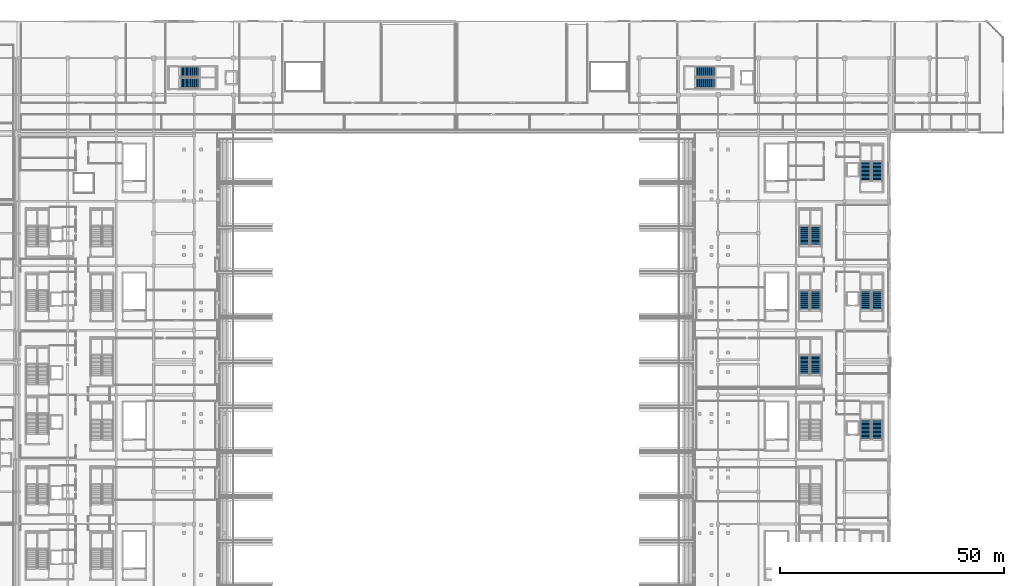
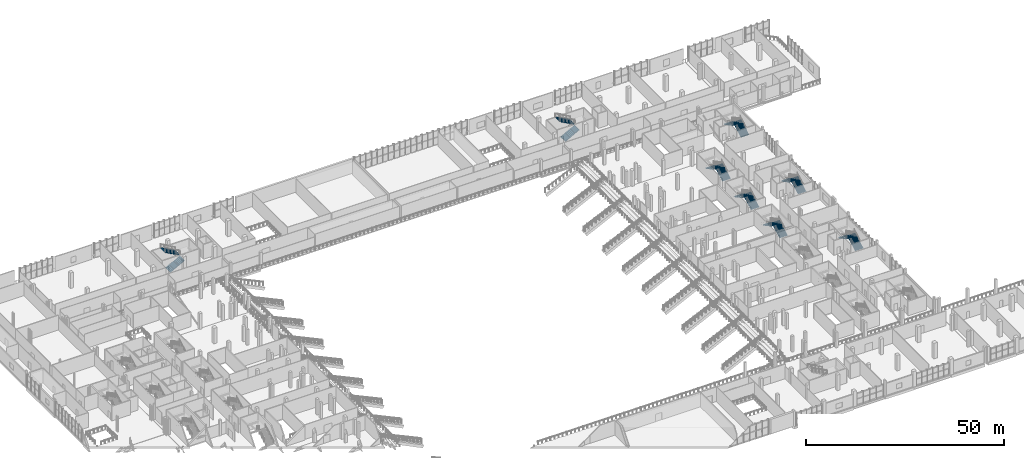
# One storey, part 91 of 129: 16 stair flights, 8 elements without a shape of their own.
"""IFC4 building model written with IfcOpenShell, lengths in metres."""

from ifc_helpers import new_model, si_unit, direction, frame, origin, place, context, subcontext, project, spatial, polyline, outline, extrude, material, type_object, element, aggregate, save


model = new_model("IFC4")

# Units and contexts
model_context = context("Model", 3, precision=1e-05, world=origin(), true_north=direction((0.0, 1.0)))
body_context = subcontext(model_context, "Body", "Model", "MODEL_VIEW")
ifc_project = project(units=[si_unit("LENGTHUNIT", "METRE"), si_unit("AREAUNIT", "SQUARE_METRE"), si_unit("VOLUMEUNIT", "CUBIC_METRE"), si_unit("PLANEANGLEUNIT", "RADIAN"), si_unit("MASSUNIT", "GRAM", prefix="KILO")], contexts=[model_context])

# Site, building, storey
site_placement = place(None, origin())
site = spatial("IfcSite", under=ifc_project, at=site_placement, CompositionType="ELEMENT")
building_placement = place(site_placement, origin())
building = spatial("IfcBuilding", under=site, at=building_placement, Name="Koshinbarg Plaza Stadium", CompositionType="ELEMENT")
storey_placement = place(building_placement, frame((0.0, 0.0, 5.39990234375)))
storey = spatial("IfcBuildingStorey", under=building, at=storey_placement, Name="L01", CompositionType="ELEMENT", Elevation=5.39990234375)

# Stair, stair flights
ifc_material = material(Name="Concrete C35/45", Category="concrete")
stair_type_1 = type_object("IfcStairType", Name="ST-CORE-48", PredefinedType="HALF_TURN_STAIR", material=ifc_material)
stair_1_placement = place(storey_placement, origin())
stair_1 = element("IfcStair", 1, at=stair_1_placement, inside=storey, type_object=stair_type_1, Name="L01 Protected Exit Stair C08", PredefinedType="HALF_TURN_STAIR")
stair_flight_type = type_object("IfcStairFlightType", Name="SFL-CORE-48", PredefinedType="STRAIGHT", material=ifc_material)
stair_flight_1_placement = place(storey_placement, frame((215.889892578125, 58.760009765625, 0.0), z_axis=(0.0, 0.0, 1.0), x_axis=(0.0, 1.0, 0.0)))
stair_flight_1 = element("IfcStairFlight", 2, at=stair_flight_1_placement, type_object=stair_flight_type, Name="L01 Protected Exit Stair C08 flight 085", NumberOfRisers=15, NumberOfTreads=14, PredefinedType="STRAIGHT", RiserHeight=0.16, TreadLength=0.3, context=body_context, shape_type="SweptSolid", body=[
    extrude(outline(polyline([(0.0, 0.0), (0.0, 0.159912109375), (0.300048828125, 0.159912109375), (0.300048828125, 0.320068359375), (0.60009765625, 0.320068359375), (0.60009765625, 0.47998046875), (0.89990234375, 0.47998046875), (0.89990234375, 0.639892578125), (1.199951171875, 0.639892578125), (1.199951171875, 0.800048828125), (1.5, 0.800048828125), (1.5, 0.9599609375), (1.800048828125, 0.9599609375), (1.800048828125, 1.1201171875), (2.10009765625, 1.1201171875), (2.10009765625, 1.280029296875), (2.39990234375, 1.280029296875), (2.39990234375, 1.43994140625), (2.699951171875, 1.43994140625), (2.699951171875, 1.60009765625), (3.0, 1.60009765625), (3.0, 1.760009765625), (3.300048828125, 1.760009765625), (3.300048828125, 1.919921875), (3.60009765625, 1.919921875), (3.60009765625, 2.080078125), (3.89990234375, 2.080078125), (3.89990234375, 2.239990234375), (4.199951171875, 2.239990234375), (4.199951171875, 2.39990234375), (4.199951171875, 2.070068359375), (0.318603515625, 0.0), (0.0, 0.0)])), frame((0.0, 1.18017578125, 0.0), z_axis=(0.0, -1.0, 0.0), x_axis=(1.0, 0.0, 0.0)), (0.0, 0.0, 1.0), 2.360107421875),
])
stair_flight_2_placement = place(storey_placement, frame((213.3798828125, 62.9599609375, 2.400146484375), z_axis=(0.0, 0.0, 1.0), x_axis=(0.0, -1.0, 0.0)))
stair_flight_2 = element("IfcStairFlight", 3, at=stair_flight_2_placement, type_object=stair_flight_type, Name="L01 Protected Exit Stair C08 flight 086", NumberOfRisers=15, NumberOfTreads=14, PredefinedType="STRAIGHT", RiserHeight=0.16, TreadLength=0.3, context=body_context, shape_type="SweptSolid", body=[
    extrude(outline(polyline([(0.0, 0.0), (0.0, 0.159912109375), (0.300048828125, 0.159912109375), (0.300048828125, 0.320068359375), (0.60009765625, 0.320068359375), (0.60009765625, 0.47998046875), (0.89990234375, 0.47998046875), (0.89990234375, 0.639892578125), (1.199951171875, 0.639892578125), (1.199951171875, 0.800048828125), (1.5, 0.800048828125), (1.5, 0.9599609375), (1.800048828125, 0.9599609375), (1.800048828125, 1.1201171875), (2.10009765625, 1.1201171875), (2.10009765625, 1.280029296875), (2.39990234375, 1.280029296875), (2.39990234375, 1.43994140625), (2.699951171875, 1.43994140625), (2.699951171875, 1.60009765625), (3.0, 1.60009765625), (3.0, 1.760009765625), (3.300048828125, 1.760009765625), (3.300048828125, 1.919921875), (3.60009765625, 1.919921875), (3.60009765625, 2.080078125), (3.89990234375, 2.080078125), (3.89990234375, 2.239990234375), (4.199951171875, 2.239990234375), (4.199951171875, 2.39990234375), (4.199951171875, 2.070068359375), (0.318603515625, 0.0), (0.0, 0.0)])), frame((0.0, 1.18017578125, 0.0), z_axis=(0.0, -1.0, 0.0), x_axis=(1.0, 0.0, 0.0)), (0.0, 0.0, 1.0), 2.360107421875),
])
aggregate(stair_1, [stair_flight_1, stair_flight_2])

stair_2_placement = place(storey_placement, origin())
stair_2 = element("IfcStair", 4, at=stair_2_placement, inside=storey, type_object=stair_type_1, Name="L01 Protected Exit Stair C09", PredefinedType="HALF_TURN_STAIR")
stair_flight_3_placement = place(storey_placement, frame((215.889892578125, 87.56005859375, 0.0), z_axis=(0.0, 0.0, 1.0), x_axis=(0.0, 1.0, 0.0)))
stair_flight_3 = element("IfcStairFlight", 5, at=stair_flight_3_placement, type_object=stair_flight_type, Name="L01 Protected Exit Stair C09 flight 095", NumberOfRisers=15, NumberOfTreads=14, PredefinedType="STRAIGHT", RiserHeight=0.16, TreadLength=0.3, context=body_context, shape_type="SweptSolid", body=[
    extrude(outline(polyline([(0.0, 0.0), (0.0, 0.159912109375), (0.300048828125, 0.159912109375), (0.300048828125, 0.320068359375), (0.60009765625, 0.320068359375), (0.60009765625, 0.47998046875), (0.89990234375, 0.47998046875), (0.89990234375, 0.639892578125), (1.199951171875, 0.639892578125), (1.199951171875, 0.800048828125), (1.5, 0.800048828125), (1.5, 0.9599609375), (1.800048828125, 0.9599609375), (1.800048828125, 1.1201171875), (2.10009765625, 1.1201171875), (2.10009765625, 1.280029296875), (2.39990234375, 1.280029296875), (2.39990234375, 1.43994140625), (2.699951171875, 1.43994140625), (2.699951171875, 1.60009765625), (3.0, 1.60009765625), (3.0, 1.760009765625), (3.300048828125, 1.760009765625), (3.300048828125, 1.919921875), (3.60009765625, 1.919921875), (3.60009765625, 2.080078125), (3.89990234375, 2.080078125), (3.89990234375, 2.239990234375), (4.199951171875, 2.239990234375), (4.199951171875, 2.39990234375), (4.199951171875, 2.070068359375), (0.318603515625, 0.0), (0.0, 0.0)])), frame((0.0, 1.18017578125, 0.0), z_axis=(0.0, -1.0, 0.0), x_axis=(1.0, 0.0, 0.0)), (0.0, 0.0, 1.0), 2.360107421875),
])
stair_flight_4_placement = place(storey_placement, frame((213.3798828125, 91.760009765625, 2.400146484375), z_axis=(0.0, 0.0, 1.0), x_axis=(0.0, -1.0, 0.0)))
stair_flight_4 = element("IfcStairFlight", 6, at=stair_flight_4_placement, type_object=stair_flight_type, Name="L01 Protected Exit Stair C09 flight 096", NumberOfRisers=15, NumberOfTreads=14, PredefinedType="STRAIGHT", RiserHeight=0.16, TreadLength=0.3, context=body_context, shape_type="SweptSolid", body=[
    extrude(outline(polyline([(0.0, 0.0), (0.0, 0.159912109375), (0.300048828125, 0.159912109375), (0.300048828125, 0.320068359375), (0.60009765625, 0.320068359375), (0.60009765625, 0.47998046875), (0.89990234375, 0.47998046875), (0.89990234375, 0.639892578125), (1.199951171875, 0.639892578125), (1.199951171875, 0.800048828125), (1.5, 0.800048828125), (1.5, 0.9599609375), (1.800048828125, 0.9599609375), (1.800048828125, 1.1201171875), (2.10009765625, 1.1201171875), (2.10009765625, 1.280029296875), (2.39990234375, 1.280029296875), (2.39990234375, 1.43994140625), (2.699951171875, 1.43994140625), (2.699951171875, 1.60009765625), (3.0, 1.60009765625), (3.0, 1.760009765625), (3.300048828125, 1.760009765625), (3.300048828125, 1.919921875), (3.60009765625, 1.919921875), (3.60009765625, 2.080078125), (3.89990234375, 2.080078125), (3.89990234375, 2.239990234375), (4.199951171875, 2.239990234375), (4.199951171875, 2.39990234375), (4.199951171875, 2.070068359375), (0.318603515625, 0.0), (0.0, 0.0)])), frame((0.0, 1.18017578125, 0.0), z_axis=(0.0, -1.0, 0.0), x_axis=(1.0, 0.0, 0.0)), (0.0, 0.0, 1.0), 2.360107421875),
])
aggregate(stair_2, [stair_flight_3, stair_flight_4])

stair_3_placement = place(storey_placement, origin())
stair_3 = element("IfcStair", 7, at=stair_3_placement, inside=storey, type_object=stair_type_1, Name="L01 Protected Exit Stair C10", PredefinedType="HALF_TURN_STAIR")
stair_flight_5_placement = place(storey_placement, frame((215.889892578125, 116.360107421875, 0.0), z_axis=(0.0, 0.0, 1.0), x_axis=(0.0, 1.0, 0.0)))
stair_flight_5 = element("IfcStairFlight", 8, at=stair_flight_5_placement, type_object=stair_flight_type, Name="L01 Protected Exit Stair C10 flight 105", NumberOfRisers=15, NumberOfTreads=14, PredefinedType="STRAIGHT", RiserHeight=0.16, TreadLength=0.3, context=body_context, shape_type="SweptSolid", body=[
    extrude(outline(polyline([(0.0, 0.0), (0.0, 0.159912109375), (0.300048828125, 0.159912109375), (0.300048828125, 0.320068359375), (0.60009765625, 0.320068359375), (0.60009765625, 0.47998046875), (0.89990234375, 0.47998046875), (0.89990234375, 0.639892578125), (1.199951171875, 0.639892578125), (1.199951171875, 0.800048828125), (1.5, 0.800048828125), (1.5, 0.9599609375), (1.800048828125, 0.9599609375), (1.800048828125, 1.1201171875), (2.10009765625, 1.1201171875), (2.10009765625, 1.280029296875), (2.39990234375, 1.280029296875), (2.39990234375, 1.43994140625), (2.699951171875, 1.43994140625), (2.699951171875, 1.60009765625), (3.0, 1.60009765625), (3.0, 1.760009765625), (3.300048828125, 1.760009765625), (3.300048828125, 1.919921875), (3.60009765625, 1.919921875), (3.60009765625, 2.080078125), (3.89990234375, 2.080078125), (3.89990234375, 2.239990234375), (4.199951171875, 2.239990234375), (4.199951171875, 2.39990234375), (4.199951171875, 2.070068359375), (0.318603515625, 0.0), (0.0, 0.0)])), frame((0.0, 1.18017578125, 0.0), z_axis=(0.0, -1.0, 0.0), x_axis=(1.0, 0.0, 0.0)), (0.0, 0.0, 1.0), 2.360107421875),
])
stair_flight_6_placement = place(storey_placement, frame((213.3798828125, 120.56005859375, 2.400146484375), z_axis=(0.0, 0.0, 1.0), x_axis=(0.0, -1.0, 0.0)))
stair_flight_6 = element("IfcStairFlight", 9, at=stair_flight_6_placement, type_object=stair_flight_type, Name="L01 Protected Exit Stair C10 flight 106", NumberOfRisers=15, NumberOfTreads=14, PredefinedType="STRAIGHT", RiserHeight=0.16, TreadLength=0.3, context=body_context, shape_type="SweptSolid", body=[
    extrude(outline(polyline([(0.0, 0.0), (0.0, 0.159912109375), (0.300048828125, 0.159912109375), (0.300048828125, 0.320068359375), (0.60009765625, 0.320068359375), (0.60009765625, 0.47998046875), (0.89990234375, 0.47998046875), (0.89990234375, 0.639892578125), (1.199951171875, 0.639892578125), (1.199951171875, 0.800048828125), (1.5, 0.800048828125), (1.5, 0.9599609375), (1.800048828125, 0.9599609375), (1.800048828125, 1.1201171875), (2.10009765625, 1.1201171875), (2.10009765625, 1.280029296875), (2.39990234375, 1.280029296875), (2.39990234375, 1.43994140625), (2.699951171875, 1.43994140625), (2.699951171875, 1.60009765625), (3.0, 1.60009765625), (3.0, 1.760009765625), (3.300048828125, 1.760009765625), (3.300048828125, 1.919921875), (3.60009765625, 1.919921875), (3.60009765625, 2.080078125), (3.89990234375, 2.080078125), (3.89990234375, 2.239990234375), (4.199951171875, 2.239990234375), (4.199951171875, 2.39990234375), (4.199951171875, 2.070068359375), (0.318603515625, 0.0), (0.0, 0.0)])), frame((0.0, 1.18017578125, 0.0), z_axis=(0.0, -1.0, 0.0), x_axis=(1.0, 0.0, 0.0)), (0.0, 0.0, 1.0), 2.360107421875),
])
aggregate(stair_3, [stair_flight_5, stair_flight_6])

stair_4_placement = place(storey_placement, origin())
stair_4 = element("IfcStair", 10, at=stair_4_placement, inside=storey, type_object=stair_type_1, Name="L01 Protected Exit Stair C11", PredefinedType="HALF_TURN_STAIR")
stair_flight_7_placement = place(storey_placement, frame((60.360107421875, 138.179931640625, 0.0), z_axis=(0.0, 0.0, 1.0), x_axis=(1.0, 0.0, 0.0)))
stair_flight_7 = element("IfcStairFlight", 11, at=stair_flight_7_placement, type_object=stair_flight_type, Name="L01 Protected Exit Stair C11 flight 115", NumberOfRisers=15, NumberOfTreads=14, PredefinedType="STRAIGHT", RiserHeight=0.16, TreadLength=0.3, context=body_context, shape_type="SweptSolid", body=[
    extrude(outline(polyline([(0.0, 0.0), (0.0, 0.159912109375), (0.300048828125, 0.159912109375), (0.300048828125, 0.320068359375), (0.60009765625, 0.320068359375), (0.60009765625, 0.47998046875), (0.89990234375, 0.47998046875), (0.89990234375, 0.639892578125), (1.199951171875, 0.639892578125), (1.199951171875, 0.800048828125), (1.5, 0.800048828125), (1.5, 0.9599609375), (1.800048828125, 0.9599609375), (1.800048828125, 1.1201171875), (2.10009765625, 1.1201171875), (2.10009765625, 1.280029296875), (2.39990234375, 1.280029296875), (2.39990234375, 1.43994140625), (2.699951171875, 1.43994140625), (2.699951171875, 1.60009765625), (3.0, 1.60009765625), (3.0, 1.760009765625), (3.300048828125, 1.760009765625), (3.300048828125, 1.919921875), (3.60009765625, 1.919921875), (3.60009765625, 2.080078125), (3.89990234375, 2.080078125), (3.89990234375, 2.239990234375), (4.199951171875, 2.239990234375), (4.199951171875, 2.39990234375), (4.199951171875, 2.070068359375), (0.318603515625, 0.0), (0.0, 0.0)])), frame((0.0, 1.18017578125, 0.0), z_axis=(0.0, -1.0, 0.0), x_axis=(1.0, 0.0, 0.0)), (0.0, 0.0, 1.0), 2.360107421875),
])
stair_flight_8_placement = place(storey_placement, frame((64.56005859375, 140.68994140625, 2.400146484375), z_axis=(0.0, 0.0, 1.0), x_axis=(-1.0, 0.0, 0.0)))
stair_flight_8 = element("IfcStairFlight", 12, at=stair_flight_8_placement, type_object=stair_flight_type, Name="L01 Protected Exit Stair C11 flight 116", NumberOfRisers=15, NumberOfTreads=14, PredefinedType="STRAIGHT", RiserHeight=0.16, TreadLength=0.3, context=body_context, shape_type="SweptSolid", body=[
    extrude(outline(polyline([(0.0, 0.0), (0.0, 0.159912109375), (0.300048828125, 0.159912109375), (0.300048828125, 0.320068359375), (0.60009765625, 0.320068359375), (0.60009765625, 0.47998046875), (0.89990234375, 0.47998046875), (0.89990234375, 0.639892578125), (1.199951171875, 0.639892578125), (1.199951171875, 0.800048828125), (1.5, 0.800048828125), (1.5, 0.9599609375), (1.800048828125, 0.9599609375), (1.800048828125, 1.1201171875), (2.10009765625, 1.1201171875), (2.10009765625, 1.280029296875), (2.39990234375, 1.280029296875), (2.39990234375, 1.43994140625), (2.699951171875, 1.43994140625), (2.699951171875, 1.60009765625), (3.0, 1.60009765625), (3.0, 1.760009765625), (3.300048828125, 1.760009765625), (3.300048828125, 1.919921875), (3.60009765625, 1.919921875), (3.60009765625, 2.080078125), (3.89990234375, 2.080078125), (3.89990234375, 2.239990234375), (4.199951171875, 2.239990234375), (4.199951171875, 2.39990234375), (4.199951171875, 2.070068359375), (0.318603515625, 0.0), (0.0, 0.0)])), frame((0.0, 1.18017578125, 0.0), z_axis=(0.0, -1.0, 0.0), x_axis=(1.0, 0.0, 0.0)), (0.0, 0.0, 1.0), 2.360107421875),
])
aggregate(stair_4, [stair_flight_7, stair_flight_8])

stair_5_placement = place(storey_placement, origin())
stair_5 = element("IfcStair", 13, at=stair_5_placement, inside=storey, type_object=stair_type_1, Name="L01 Protected Exit Stair C12", PredefinedType="HALF_TURN_STAIR")
stair_flight_9_placement = place(storey_placement, frame((175.360107421875, 138.179931640625, 0.0), z_axis=(0.0, 0.0, 1.0), x_axis=(1.0, 0.0, 0.0)))
stair_flight_9 = element("IfcStairFlight", 14, at=stair_flight_9_placement, type_object=stair_flight_type, Name="L01 Protected Exit Stair C12 flight 121", NumberOfRisers=15, NumberOfTreads=14, PredefinedType="STRAIGHT", RiserHeight=0.16, TreadLength=0.3, context=body_context, shape_type="SweptSolid", body=[
    extrude(outline(polyline([(0.0, 0.0), (0.0, 0.159912109375), (0.300048828125, 0.159912109375), (0.300048828125, 0.320068359375), (0.60009765625, 0.320068359375), (0.60009765625, 0.47998046875), (0.89990234375, 0.47998046875), (0.89990234375, 0.639892578125), (1.199951171875, 0.639892578125), (1.199951171875, 0.800048828125), (1.5, 0.800048828125), (1.5, 0.9599609375), (1.800048828125, 0.9599609375), (1.800048828125, 1.1201171875), (2.10009765625, 1.1201171875), (2.10009765625, 1.280029296875), (2.39990234375, 1.280029296875), (2.39990234375, 1.43994140625), (2.699951171875, 1.43994140625), (2.699951171875, 1.60009765625), (3.0, 1.60009765625), (3.0, 1.760009765625), (3.300048828125, 1.760009765625), (3.300048828125, 1.919921875), (3.60009765625, 1.919921875), (3.60009765625, 2.080078125), (3.89990234375, 2.080078125), (3.89990234375, 2.239990234375), (4.199951171875, 2.239990234375), (4.199951171875, 2.39990234375), (4.199951171875, 2.070068359375), (0.318603515625, 0.0), (0.0, 0.0)])), frame((0.0, 1.18017578125, 0.0), z_axis=(0.0, -1.0, 0.0), x_axis=(1.0, 0.0, 0.0)), (0.0, 0.0, 1.0), 2.360107421875),
])
stair_flight_10_placement = place(storey_placement, frame((179.56005859375, 140.68994140625, 2.400146484375), z_axis=(0.0, 0.0, 1.0), x_axis=(-1.0, 0.0, 0.0)))
stair_flight_10 = element("IfcStairFlight", 15, at=stair_flight_10_placement, type_object=stair_flight_type, Name="L01 Protected Exit Stair C12 flight 122", NumberOfRisers=15, NumberOfTreads=14, PredefinedType="STRAIGHT", RiserHeight=0.16, TreadLength=0.3, context=body_context, shape_type="SweptSolid", body=[
    extrude(outline(polyline([(0.0, 0.0), (0.0, 0.159912109375), (0.300048828125, 0.159912109375), (0.300048828125, 0.320068359375), (0.60009765625, 0.320068359375), (0.60009765625, 0.47998046875), (0.89990234375, 0.47998046875), (0.89990234375, 0.639892578125), (1.199951171875, 0.639892578125), (1.199951171875, 0.800048828125), (1.5, 0.800048828125), (1.5, 0.9599609375), (1.800048828125, 0.9599609375), (1.800048828125, 1.1201171875), (2.10009765625, 1.1201171875), (2.10009765625, 1.280029296875), (2.39990234375, 1.280029296875), (2.39990234375, 1.43994140625), (2.699951171875, 1.43994140625), (2.699951171875, 1.60009765625), (3.0, 1.60009765625), (3.0, 1.760009765625), (3.300048828125, 1.760009765625), (3.300048828125, 1.919921875), (3.60009765625, 1.919921875), (3.60009765625, 2.080078125), (3.89990234375, 2.080078125), (3.89990234375, 2.239990234375), (4.199951171875, 2.239990234375), (4.199951171875, 2.39990234375), (4.199951171875, 2.070068359375), (0.318603515625, 0.0), (0.0, 0.0)])), frame((0.0, 1.18017578125, 0.0), z_axis=(0.0, -1.0, 0.0), x_axis=(1.0, 0.0, 0.0)), (0.0, 0.0, 1.0), 2.360107421875),
])
aggregate(stair_5, [stair_flight_9, stair_flight_10])

stair_type_2 = type_object("IfcStairType", Name="ST-VOM-48", PredefinedType="HALF_TURN_STAIR", material=ifc_material)
stair_6_placement = place(storey_placement, origin())
stair_6 = element("IfcStair", 16, at=stair_6_placement, inside=storey, type_object=stair_type_2, Name="L01 Upper Vomitory Stair VX10", PredefinedType="HALF_TURN_STAIR")
stair_flight_11_placement = place(storey_placement, frame((202.18994140625, 73.159912109375, 0.0), z_axis=(0.0, 0.0, 1.0), x_axis=(0.0, 1.0, 0.0)))
stair_flight_11 = element("IfcStairFlight", 17, at=stair_flight_11_placement, type_object=stair_flight_type, Name="L01 Upper Vomitory Stair VX10 flight 205", NumberOfRisers=15, NumberOfTreads=14, PredefinedType="STRAIGHT", RiserHeight=0.16, TreadLength=0.3, context=body_context, shape_type="SweptSolid", body=[
    extrude(outline(polyline([(0.0, 0.0), (0.0, 0.159912109375), (0.300048828125, 0.159912109375), (0.300048828125, 0.320068359375), (0.60009765625, 0.320068359375), (0.60009765625, 0.47998046875), (0.89990234375, 0.47998046875), (0.89990234375, 0.639892578125), (1.199951171875, 0.639892578125), (1.199951171875, 0.800048828125), (1.5, 0.800048828125), (1.5, 0.9599609375), (1.800048828125, 0.9599609375), (1.800048828125, 1.1201171875), (2.10009765625, 1.1201171875), (2.10009765625, 1.280029296875), (2.39990234375, 1.280029296875), (2.39990234375, 1.43994140625), (2.699951171875, 1.43994140625), (2.699951171875, 1.60009765625), (3.0, 1.60009765625), (3.0, 1.760009765625), (3.300048828125, 1.760009765625), (3.300048828125, 1.919921875), (3.60009765625, 1.919921875), (3.60009765625, 2.080078125), (3.89990234375, 2.080078125), (3.89990234375, 2.239990234375), (4.199951171875, 2.239990234375), (4.199951171875, 2.39990234375), (4.199951171875, 2.070068359375), (0.318603515625, 0.0), (0.0, 0.0)])), frame((0.0, 1.18017578125, 0.0), z_axis=(0.0, -1.0, 0.0), x_axis=(1.0, 0.0, 0.0)), (0.0, 0.0, 1.0), 2.360107421875),
])
stair_flight_12_placement = place(storey_placement, frame((199.679931640625, 77.360107421875, 2.400146484375), z_axis=(0.0, 0.0, 1.0), x_axis=(0.0, -1.0, 0.0)))
stair_flight_12 = element("IfcStairFlight", 18, at=stair_flight_12_placement, type_object=stair_flight_type, Name="L01 Upper Vomitory Stair VX10 flight 206", NumberOfRisers=15, NumberOfTreads=14, PredefinedType="STRAIGHT", RiserHeight=0.16, TreadLength=0.3, context=body_context, shape_type="SweptSolid", body=[
    extrude(outline(polyline([(0.0, 0.0), (0.0, 0.159912109375), (0.300048828125, 0.159912109375), (0.300048828125, 0.320068359375), (0.60009765625, 0.320068359375), (0.60009765625, 0.47998046875), (0.89990234375, 0.47998046875), (0.89990234375, 0.639892578125), (1.199951171875, 0.639892578125), (1.199951171875, 0.800048828125), (1.5, 0.800048828125), (1.5, 0.9599609375), (1.800048828125, 0.9599609375), (1.800048828125, 1.1201171875), (2.10009765625, 1.1201171875), (2.10009765625, 1.280029296875), (2.39990234375, 1.280029296875), (2.39990234375, 1.43994140625), (2.699951171875, 1.43994140625), (2.699951171875, 1.60009765625), (3.0, 1.60009765625), (3.0, 1.760009765625), (3.300048828125, 1.760009765625), (3.300048828125, 1.919921875), (3.60009765625, 1.919921875), (3.60009765625, 2.080078125), (3.89990234375, 2.080078125), (3.89990234375, 2.239990234375), (4.199951171875, 2.239990234375), (4.199951171875, 2.39990234375), (4.199951171875, 2.070068359375), (0.318603515625, 0.0), (0.0, 0.0)])), frame((0.0, 1.18017578125, 0.0), z_axis=(0.0, -1.0, 0.0), x_axis=(1.0, 0.0, 0.0)), (0.0, 0.0, 1.0), 2.360107421875),
])
aggregate(stair_6, [stair_flight_11, stair_flight_12])

stair_7_placement = place(storey_placement, origin())
stair_7 = element("IfcStair", 19, at=stair_7_placement, inside=storey, type_object=stair_type_2, Name="L01 Upper Vomitory Stair VX11", PredefinedType="HALF_TURN_STAIR")
stair_flight_13_placement = place(storey_placement, frame((202.18994140625, 87.56005859375, 0.0), z_axis=(0.0, 0.0, 1.0), x_axis=(0.0, 1.0, 0.0)))
stair_flight_13 = element("IfcStairFlight", 20, at=stair_flight_13_placement, type_object=stair_flight_type, Name="L01 Upper Vomitory Stair VX11 flight 211", NumberOfRisers=15, NumberOfTreads=14, PredefinedType="STRAIGHT", RiserHeight=0.16, TreadLength=0.3, context=body_context, shape_type="SweptSolid", body=[
    extrude(outline(polyline([(0.0, 0.0), (0.0, 0.159912109375), (0.300048828125, 0.159912109375), (0.300048828125, 0.320068359375), (0.60009765625, 0.320068359375), (0.60009765625, 0.47998046875), (0.89990234375, 0.47998046875), (0.89990234375, 0.639892578125), (1.199951171875, 0.639892578125), (1.199951171875, 0.800048828125), (1.5, 0.800048828125), (1.5, 0.9599609375), (1.800048828125, 0.9599609375), (1.800048828125, 1.1201171875), (2.10009765625, 1.1201171875), (2.10009765625, 1.280029296875), (2.39990234375, 1.280029296875), (2.39990234375, 1.43994140625), (2.699951171875, 1.43994140625), (2.699951171875, 1.60009765625), (3.0, 1.60009765625), (3.0, 1.760009765625), (3.300048828125, 1.760009765625), (3.300048828125, 1.919921875), (3.60009765625, 1.919921875), (3.60009765625, 2.080078125), (3.89990234375, 2.080078125), (3.89990234375, 2.239990234375), (4.199951171875, 2.239990234375), (4.199951171875, 2.39990234375), (4.199951171875, 2.070068359375), (0.318603515625, 0.0), (0.0, 0.0)])), frame((0.0, 1.18017578125, 0.0), z_axis=(0.0, -1.0, 0.0), x_axis=(1.0, 0.0, 0.0)), (0.0, 0.0, 1.0), 2.360107421875),
])
stair_flight_14_placement = place(storey_placement, frame((199.679931640625, 91.760009765625, 2.400146484375), z_axis=(0.0, 0.0, 1.0), x_axis=(0.0, -1.0, 0.0)))
stair_flight_14 = element("IfcStairFlight", 21, at=stair_flight_14_placement, type_object=stair_flight_type, Name="L01 Upper Vomitory Stair VX11 flight 212", NumberOfRisers=15, NumberOfTreads=14, PredefinedType="STRAIGHT", RiserHeight=0.16, TreadLength=0.3, context=body_context, shape_type="SweptSolid", body=[
    extrude(outline(polyline([(0.0, 0.0), (0.0, 0.159912109375), (0.300048828125, 0.159912109375), (0.300048828125, 0.320068359375), (0.60009765625, 0.320068359375), (0.60009765625, 0.47998046875), (0.89990234375, 0.47998046875), (0.89990234375, 0.639892578125), (1.199951171875, 0.639892578125), (1.199951171875, 0.800048828125), (1.5, 0.800048828125), (1.5, 0.9599609375), (1.800048828125, 0.9599609375), (1.800048828125, 1.1201171875), (2.10009765625, 1.1201171875), (2.10009765625, 1.280029296875), (2.39990234375, 1.280029296875), (2.39990234375, 1.43994140625), (2.699951171875, 1.43994140625), (2.699951171875, 1.60009765625), (3.0, 1.60009765625), (3.0, 1.760009765625), (3.300048828125, 1.760009765625), (3.300048828125, 1.919921875), (3.60009765625, 1.919921875), (3.60009765625, 2.080078125), (3.89990234375, 2.080078125), (3.89990234375, 2.239990234375), (4.199951171875, 2.239990234375), (4.199951171875, 2.39990234375), (4.199951171875, 2.070068359375), (0.318603515625, 0.0), (0.0, 0.0)])), frame((0.0, 1.18017578125, 0.0), z_axis=(0.0, -1.0, 0.0), x_axis=(1.0, 0.0, 0.0)), (0.0, 0.0, 1.0), 2.360107421875),
])
aggregate(stair_7, [stair_flight_13, stair_flight_14])

stair_8_placement = place(storey_placement, origin())
stair_8 = element("IfcStair", 22, at=stair_8_placement, inside=storey, type_object=stair_type_2, Name="L01 Upper Vomitory Stair VX12", PredefinedType="HALF_TURN_STAIR")
stair_flight_15_placement = place(storey_placement, frame((202.18994140625, 101.9599609375, 0.0), z_axis=(0.0, 0.0, 1.0), x_axis=(0.0, 1.0, 0.0)))
stair_flight_15 = element("IfcStairFlight", 23, at=stair_flight_15_placement, type_object=stair_flight_type, Name="L01 Upper Vomitory Stair VX12 flight 217", NumberOfRisers=15, NumberOfTreads=14, PredefinedType="STRAIGHT", RiserHeight=0.16, TreadLength=0.3, context=body_context, shape_type="SweptSolid", body=[
    extrude(outline(polyline([(0.0, 0.0), (0.0, 0.159912109375), (0.300048828125, 0.159912109375), (0.300048828125, 0.320068359375), (0.60009765625, 0.320068359375), (0.60009765625, 0.47998046875), (0.89990234375, 0.47998046875), (0.89990234375, 0.639892578125), (1.199951171875, 0.639892578125), (1.199951171875, 0.800048828125), (1.5, 0.800048828125), (1.5, 0.9599609375), (1.800048828125, 0.9599609375), (1.800048828125, 1.1201171875), (2.10009765625, 1.1201171875), (2.10009765625, 1.280029296875), (2.39990234375, 1.280029296875), (2.39990234375, 1.43994140625), (2.699951171875, 1.43994140625), (2.699951171875, 1.60009765625), (3.0, 1.60009765625), (3.0, 1.760009765625), (3.300048828125, 1.760009765625), (3.300048828125, 1.919921875), (3.60009765625, 1.919921875), (3.60009765625, 2.080078125), (3.89990234375, 2.080078125), (3.89990234375, 2.239990234375), (4.199951171875, 2.239990234375), (4.199951171875, 2.39990234375), (4.199951171875, 2.070068359375), (0.318603515625, 0.0), (0.0, 0.0)])), frame((0.0, 1.18017578125, 0.0), z_axis=(0.0, -1.0, 0.0), x_axis=(1.0, 0.0, 0.0)), (0.0, 0.0, 1.0), 2.360107421875),
])
stair_flight_16_placement = place(storey_placement, frame((199.679931640625, 106.159912109375, 2.400146484375), z_axis=(0.0, 0.0, 1.0), x_axis=(0.0, -1.0, 0.0)))
stair_flight_16 = element("IfcStairFlight", 24, at=stair_flight_16_placement, type_object=stair_flight_type, Name="L01 Upper Vomitory Stair VX12 flight 218", NumberOfRisers=15, NumberOfTreads=14, PredefinedType="STRAIGHT", RiserHeight=0.16, TreadLength=0.3, context=body_context, shape_type="SweptSolid", body=[
    extrude(outline(polyline([(0.0, 0.0), (0.0, 0.159912109375), (0.300048828125, 0.159912109375), (0.300048828125, 0.320068359375), (0.60009765625, 0.320068359375), (0.60009765625, 0.47998046875), (0.89990234375, 0.47998046875), (0.89990234375, 0.639892578125), (1.199951171875, 0.639892578125), (1.199951171875, 0.800048828125), (1.5, 0.800048828125), (1.5, 0.9599609375), (1.800048828125, 0.9599609375), (1.800048828125, 1.1201171875), (2.10009765625, 1.1201171875), (2.10009765625, 1.280029296875), (2.39990234375, 1.280029296875), (2.39990234375, 1.43994140625), (2.699951171875, 1.43994140625), (2.699951171875, 1.60009765625), (3.0, 1.60009765625), (3.0, 1.760009765625), (3.300048828125, 1.760009765625), (3.300048828125, 1.919921875), (3.60009765625, 1.919921875), (3.60009765625, 2.080078125), (3.89990234375, 2.080078125), (3.89990234375, 2.239990234375), (4.199951171875, 2.239990234375), (4.199951171875, 2.39990234375), (4.199951171875, 2.070068359375), (0.318603515625, 0.0), (0.0, 0.0)])), frame((0.0, 1.18017578125, 0.0), z_axis=(0.0, -1.0, 0.0), x_axis=(1.0, 0.0, 0.0)), (0.0, 0.0, 1.0), 2.360107421875),
])
aggregate(stair_8, [stair_flight_15, stair_flight_16])

save(model, "model.ifc")
